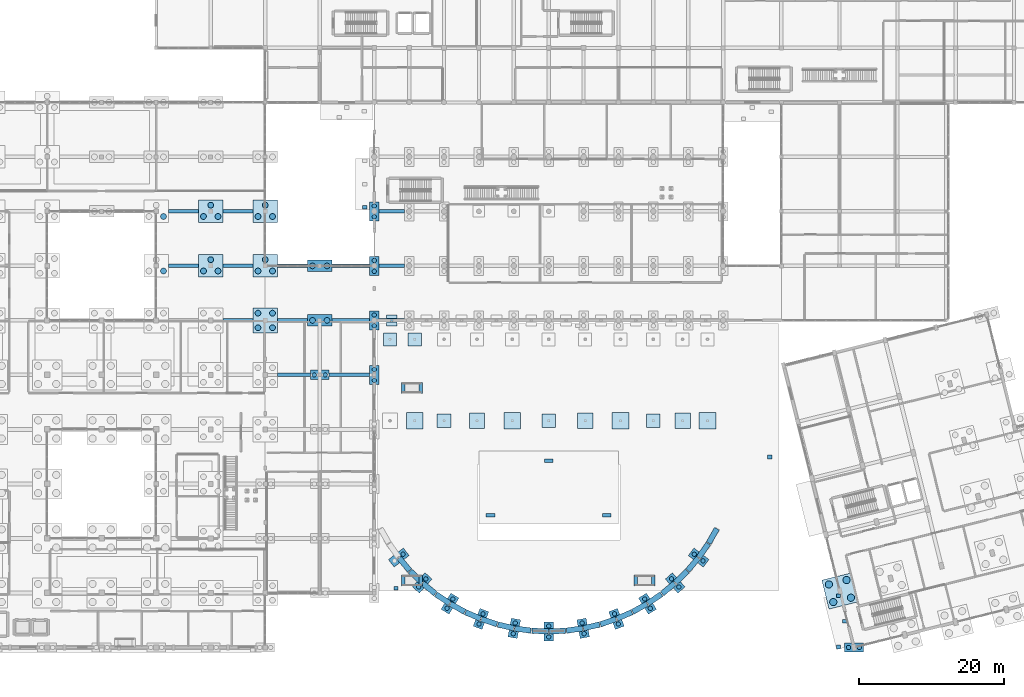
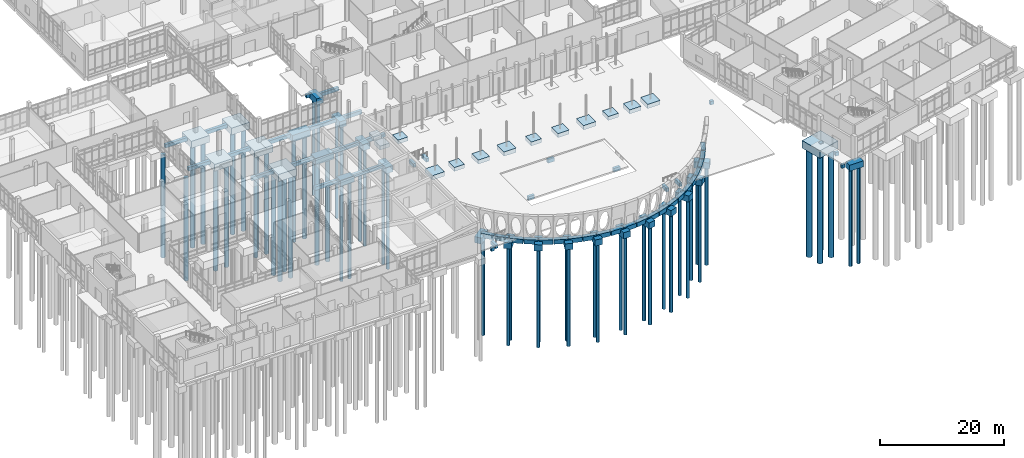
# One storey, part 3 of 173: 89 footings, 59 piles.
"""IFC4 building model written with IfcOpenShell, lengths in metres."""

import ifcopenshell
import ifcopenshell.guid

model = None  # the IFC model being written
_history = None  # IfcOwnerHistory: only IFC2X3 demands one
_inside = {}  # id of a spatial element -> (the spatial element, [elements in it])
_under = {}  # id of a project, library or spatial element -> (it, [spatial elements below it])
_declared = {}  # id of a project -> (the project, [libraries it declares])
_typed = {}  # id of a type object -> (the type object, [elements of that type])
_made_of = {}  # id of a material, layer set ... -> (it, [elements and type objects made of it])


def new_model(schema):
    """Start an empty IFC model of exactly this schema.

    Asked for "IFC4X3", IfcOpenShell would pick the latest addendum, in which some entities
    have other attributes; the version numbers below select the first issue.
    IFC2X3 requires an IfcOwnerHistory on every rooted entity: one is made here for all.
    """
    global model, _history
    if schema == "IFC4X3":
        model = ifcopenshell.file(schema_version=(4, 3, 0, 0))
    else:
        model = ifcopenshell.file(schema=schema)
    _inside.clear()
    _under.clear()
    _declared.clear()
    _typed.clear()
    _made_of.clear()
    _history = None
    if model.schema == "IFC2X3":
        org = make("IfcOrganization", Name="unknown")
        user = make(
            "IfcPersonAndOrganization",
            ThePerson=make("IfcPerson", FamilyName="unknown"),
            TheOrganization=org,
        )
        app = make(
            "IfcApplication",
            ApplicationDeveloper=org,
            Version="unknown",
            ApplicationFullName="unknown",
            ApplicationIdentifier="unknown",
        )
        _history = make(
            "IfcOwnerHistory",
            OwningUser=user,
            OwningApplication=app,
            ChangeAction="ADDED",
            CreationDate=0,
        )
    return model


def make(cls, **values):
    """One entity of the class cls with the attributes given. An attribute that is None is left unset."""
    return model.create_entity(
        cls, **{name: value for name, value in values.items() if value is not None}
    )


def rooted(cls, **values):
    """An entity with a GlobalId (a new one), such as an element, a storey or a relation."""
    return make(cls, GlobalId=ifcopenshell.guid.new(), OwnerHistory=_history, **values)


def si_unit(unit_type, name, prefix=None):
    """IfcSIUnit, for example si_unit("LENGTHUNIT", "METRE", prefix="MILLI")."""
    return make("IfcSIUnit", UnitType=unit_type, Prefix=prefix, Name=name)


def assignment(units):
    """IfcUnitAssignment: the units of a project."""
    return None if units is None else make("IfcUnitAssignment", Units=units)


def point(xyz):
    """IfcCartesianPoint."""
    return None if xyz is None else make("IfcCartesianPoint", Coordinates=xyz)


def direction(xyz):
    """IfcDirection."""
    return None if xyz is None else make("IfcDirection", DirectionRatios=xyz)


def frame(location, z_axis=None, x_axis=None):
    """IfcAxis2Placement3D, a coordinate frame: its origin and axes. An axis left out is left unset."""
    return make(
        "IfcAxis2Placement3D",
        Location=point(location),
        Axis=direction(z_axis),
        RefDirection=direction(x_axis),
    )


def frame_2d(location, x_axis=None):
    """IfcAxis2Placement2D, a coordinate frame in the plane: its origin and x axis."""
    return make(
        "IfcAxis2Placement2D", Location=point(location), RefDirection=direction(x_axis)
    )


def origin():
    """The frame at (0, 0, 0) with its axes left unset."""
    return frame((0.0, 0.0, 0.0))


def origin_2d():
    """The frame at (0, 0) in the plane with its x axis left unset."""
    return frame_2d((0.0, 0.0))


def place(relative_to, where):
    """IfcLocalPlacement: puts the frame where relative to a parent placement (None: the world)."""
    return make(
        "IfcLocalPlacement", PlacementRelTo=relative_to, RelativePlacement=where
    )


def context(
    kind, dimensions, precision=None, world=None, true_north=None, identifier=None
):
    """IfcGeometricRepresentationContext, for example the 3D "Model" context."""
    return make(
        "IfcGeometricRepresentationContext",
        ContextIdentifier=identifier,
        ContextType=kind,
        CoordinateSpaceDimension=dimensions,
        Precision=precision,
        WorldCoordinateSystem=world,
        TrueNorth=true_north,
    )


def subcontext(parent, identifier, kind, view, scale=None):
    """IfcGeometricRepresentationSubContext, for example "Body" below "Model"."""
    return make(
        "IfcGeometricRepresentationSubContext",
        ContextIdentifier=identifier,
        ContextType=kind,
        ParentContext=parent,
        TargetScale=scale,
        TargetView=view,
    )


def project(units=None, contexts=None):
    """IfcProject with its units and contexts."""
    return rooted(
        "IfcProject",
        Name="project",
        RepresentationContexts=contexts,
        UnitsInContext=assignment(units),
    )


def spatial(cls, under=None, at=None, **own):
    """A site, building, storey or space (cls), placed at a placement, below another one or the project."""
    s = rooted(cls, ObjectPlacement=at, **own)
    if under is not None:
        _under.setdefault(under.id(), (under, []))[1].append(s)
    return s


def profile(cls, at=None, kind="AREA", **sizes):
    """A parametric profile (cls). Its sizes go by their IFC names, for example OverallWidth=200.0."""
    return make(cls, ProfileType=kind, Position=at, **sizes)


def rectangle(**sizes):
    """IfcRectangleProfileDef."""
    return profile("IfcRectangleProfileDef", **sizes)


def circle(**sizes):
    """IfcCircleProfileDef."""
    return profile("IfcCircleProfileDef", **sizes)


def extrude(swept, where, along, depth):
    """IfcExtrudedAreaSolid: the profile swept, set in the frame where, extruded along a direction by depth."""
    return make(
        "IfcExtrudedAreaSolid",
        SweptArea=swept,
        Position=where,
        ExtrudedDirection=direction(along),
        Depth=depth,
    )


def shape(context_of_items, identifier, shape_type, items):
    """IfcShapeRepresentation: the items that make up one representation, for example the "Body"."""
    return make(
        "IfcShapeRepresentation",
        ContextOfItems=context_of_items,
        RepresentationIdentifier=identifier,
        RepresentationType=shape_type,
        Items=items,
    )


def material(Name=None, Category=None):
    """IfcMaterial."""
    return make("IfcMaterial", Name=Name, Category=Category)


def material_profile(
    of_material, cross_section, Name=None, Category=None, Priority=None
):
    """IfcMaterialProfile: a cross section and its material."""
    return make(
        "IfcMaterialProfile",
        Name=Name,
        Material=of_material,
        Profile=cross_section,
        Priority=Priority,
        Category=Category,
    )


def profile_set(profiles, Name=None, composite=None):
    """IfcMaterialProfileSet."""
    return make(
        "IfcMaterialProfileSet",
        Name=Name,
        MaterialProfiles=profiles,
        CompositeProfile=composite,
    )


def made_of(thing, what):
    """Note that an element or type object is made of a material, layer set ...; save() writes the relation."""
    if what is not None:
        _made_of.setdefault(what.id(), (what, []))[1].append(thing)
    return thing


def type_object(cls, material=None, **own):
    """A type object (cls), such as IfcWallType, which elements share."""
    return made_of(rooted(cls, **own), material)


def element(
    cls,
    number,
    at=None,
    inside=None,
    cuts=None,
    type_object=None,
    material=None,
    context=None,
    identifier="Body",
    shape_type=None,
    held_by="IfcProductDefinitionShape",
    body=None,
    shapes=None,
    **own,
):
    """One element of the class cls, such as IfcWall. Its Tag is "e" and its number.

    at: its placement. inside: the storey or other place that contains it. cuts: it is an
    opening in that element (IfcRelVoidsElement). A single representation is given by context,
    identifier, shape_type and body (its items); several are given by shapes. held_by: the class
    of the entity that holds the representations. save() writes the other relations.
    """
    e = rooted(cls, Tag="e%d" % number, ObjectPlacement=at, **own)
    if body is not None:
        shapes = [shape(context, identifier, shape_type, body)]
    if shapes is not None:
        e.Representation = make(held_by, Representations=shapes)
    if inside is not None:
        _inside.setdefault(inside.id(), (inside, []))[1].append(e)
    if cuts is not None:
        rooted(
            "IfcRelVoidsElement", RelatingBuildingElement=cuts, RelatedOpeningElement=e
        )
    if type_object is not None:
        _typed.setdefault(type_object.id(), (type_object, []))[1].append(e)
    return made_of(e, material)


def aggregate(whole, parts):
    """IfcRelAggregates: a whole, such as a stair, and the parts it consists of."""
    return rooted("IfcRelAggregates", RelatingObject=whole, RelatedObjects=parts)


def save(model, path):
    """Write the relations noted so far, then the file.

    IfcRelAggregates (storeys below a building ...), IfcRelContainedInSpatialStructure (elements
    in a storey), IfcRelDefinesByType, IfcRelAssociatesMaterial and IfcRelDeclares: one each for
    every whole, place, type object, material and project.
    """
    for whole, parts in _under.values():
        aggregate(whole, parts)
    for where, things in _inside.values():
        rooted(
            "IfcRelContainedInSpatialStructure",
            RelatedElements=things,
            RelatingStructure=where,
        )
    for kind, things in _typed.values():
        rooted("IfcRelDefinesByType", RelatedObjects=things, RelatingType=kind)
    for what, things in _made_of.values():
        rooted("IfcRelAssociatesMaterial", RelatedObjects=things, RelatingMaterial=what)
    for by, libraries in _declared.values():
        rooted("IfcRelDeclares", RelatingContext=by, RelatedDefinitions=libraries)
    model.write(path)


model = new_model("IFC4")

# Units and contexts
model_context = context("Model", 3, precision=1e-05, world=origin(), true_north=direction((0.0, 1.0)))
body_context = subcontext(model_context, "Body", "Model", "MODEL_VIEW")
ifc_project = project(units=[si_unit("LENGTHUNIT", "METRE"), si_unit("AREAUNIT", "SQUARE_METRE"), si_unit("VOLUMEUNIT", "CUBIC_METRE"), si_unit("PLANEANGLEUNIT", "RADIAN"), si_unit("MASSUNIT", "GRAM", prefix="KILO")], contexts=[model_context])

# Site, building, storey
site_placement = place(None, origin())
site = spatial("IfcSite", under=ifc_project, at=site_placement, CompositionType="ELEMENT")
building_placement = place(site_placement, origin())
building = spatial("IfcBuilding", under=site, at=building_placement, Name="Mawjan Specialist Oncology Clinic", CompositionType="ELEMENT")
storey_placement = place(building_placement, origin())
storey = spatial("IfcBuildingStorey", under=building, at=storey_placement, Name="L00", CompositionType="ELEMENT", Elevation=0.0)

# Footings
ifc_material_1 = material(Name="Concrete C40/50", Category="concrete")
footing_type_1 = type_object("IfcFootingType", Name="PC-2A", PredefinedType="PILE_CAP", material=ifc_material_1)
for number, where, z_axis, x_axis, name in (
    (1, (52.5, 38.300048828125, -1.6201171875), (0.0, 0.0, 1.0), (1.0, 0.0, 0.0), "Pile Cap FTG-PC-095"),
    (2, (60.0, 38.300048828125, -1.6201171875), (0.0, 0.0, 1.0), (0.0, 1.0, 0.0), "Pile Cap FTG-PC-108"),
    (3, (60.0, 45.800048828125, -1.6201171875), (0.0, 0.0, 1.0), (0.0, 1.0, 0.0), "Pile Cap FTG-PC-109"),
    (4, (60.0, 53.300048828125, -1.6201171875), (0.0, 0.0, 1.0), (0.0, 1.0, 0.0), "Pile Cap FTG-PC-110"),
    (5, (60.0, 60.800048828125, -1.6201171875), (0.0, 0.0, 1.0), (0.0, 1.0, 0.0), "Pile Cap FTG-PC-111"),
    (6, (126.0, 0.800048828125, -1.6201171875), (0.0, 0.0, 1.0), (1.0, 0.0, 0.0), "Pile Cap FTG-PC-263"),
    (7, (63.372802734375, 13.172119140625, -1.4501953125), (0.0, 0.0, 1.0), (-0.793353340291, -0.608761429009, 0.0), "Stone Arc Pile Cap FTG-ARC-03"),
    (8, (66.6025390625, 9.67822265625, -1.4501953125), (0.0, 0.0, 1.0), (-0.669130606359, -0.743144825477, 0.0), "Stone Arc Pile Cap FTG-ARC-05"),
    (9, (70.4150390625, 6.831298828125, -1.4501953125), (0.0, 0.0, 1.0), (-0.522498564716, -0.852640164354, 0.0), "Stone Arc Pile Cap FTG-ARC-07"),
    (10, (74.682373046875, 4.726806640625, -1.4501953125), (0.0, 0.0, 1.0), (-0.358367949545, -0.933580426497, 0.0), "Stone Arc Pile Cap FTG-ARC-09"),
    (11, (79.261962890625, 3.435302734375, -1.4501953125), (0.0, 0.0, 1.0), (-0.182235525492, -0.983254907564, 0.0), "Stone Arc Pile Cap FTG-ARC-11"),
    (12, (84.0, 3.0, -1.4501953125), (0.0, 0.0, 1.0), (0.0, -1.0, 0.0), "Stone Arc Pile Cap FTG-ARC-13"),
    (13, (88.738037109375, 3.435302734375, -1.4501953125), (0.0, 0.0, 1.0), (0.182235525492, -0.983254907564, 0.0), "Stone Arc Pile Cap FTG-ARC-15"),
    (14, (93.317626953125, 4.726806640625, -1.4501953125), (0.0, 0.0, 1.0), (0.358367949545, -0.933580426497, 0.0), "Stone Arc Pile Cap FTG-ARC-17"),
    (15, (97.5849609375, 6.831298828125, -1.4501953125), (0.0, 0.0, 1.0), (0.522498564716, -0.852640164354, 0.0), "Stone Arc Pile Cap FTG-ARC-19"),
    (16, (101.3974609375, 9.67822265625, -1.4501953125), (0.0, 0.0, 1.0), (0.669130606359, -0.743144825477, 0.0), "Stone Arc Pile Cap FTG-ARC-21"),
    (17, (104.627197265625, 13.172119140625, -1.4501953125), (0.0, 0.0, 1.0), (0.793353340291, -0.608761429009, 0.0), "Stone Arc Pile Cap FTG-ARC-23"),
):
    element("IfcFooting", number, at=place(storey_placement, frame(where, z_axis=z_axis, x_axis=x_axis)), inside=storey, type_object=footing_type_1, Name=name, PredefinedType="PILE_CAP", context=body_context, shape_type="SweptSolid", body=[
        extrude(rectangle(XDim=2.60009765625, YDim=1.300048828125, at=origin_2d()), origin(), (0.0, 0.0, 1.0), 1.199951171875),
    ])
ifc_material_2 = material(Name="Concrete C40/50", Category="concrete")
footing_type_2 = type_object("IfcFootingType", Name="PC-2B", PredefinedType="PILE_CAP", material=ifc_material_2)
for number, where, z_axis, x_axis, name in (
    (18, (52.5, 45.800048828125, -1.72021484375), (0.0, 0.0, 1.0), (1.0, 0.0, 0.0), "Pile Cap FTG-PC-096"),
    (19, (52.5, 53.300048828125, -1.72021484375), (0.0, 0.0, 1.0), (1.0, 0.0, 0.0), "Pile Cap FTG-PC-097"),
):
    element("IfcFooting", number, at=place(storey_placement, frame(where, z_axis=z_axis, x_axis=x_axis)), inside=storey, type_object=footing_type_2, Name=name, PredefinedType="PILE_CAP", context=body_context, shape_type="SweptSolid", body=[
        extrude(rectangle(XDim=3.39990234375, YDim=1.60009765625, at=origin_2d()), origin(), (0.0, 0.0, 1.0), 1.300048828125),
    ])
ifc_material_3 = material(Name="Concrete C40/50", Category="concrete")
footing_type_3 = type_object("IfcFootingType", Name="PC-3A", PredefinedType="PILE_CAP", material=ifc_material_3)
for number, where, z_axis, x_axis, name in (
    (20, (37.5, 53.300048828125, -1.77001953125), (0.0, 0.0, 1.0), (1.0, 0.0, 0.0), "Pile Cap FTG-PC-066"),
    (21, (37.5, 60.800048828125, -1.77001953125), (0.0, 0.0, 1.0), (1.0, 0.0, 0.0), "Pile Cap FTG-PC-067"),
    (22, (45.0, 53.300048828125, -1.77001953125), (0.0, 0.0, 1.0), (1.0, 0.0, 0.0), "Pile Cap FTG-PC-082"),
    (23, (45.0, 60.800048828125, -1.77001953125), (0.0, 0.0, 1.0), (1.0, 0.0, 0.0), "Pile Cap FTG-PC-083"),
):
    element("IfcFooting", number, at=place(storey_placement, frame(where, z_axis=z_axis, x_axis=x_axis)), inside=storey, type_object=footing_type_3, Name=name, PredefinedType="PILE_CAP", context=body_context, shape_type="SweptSolid", body=[
        extrude(rectangle(XDim=3.39990234375, YDim=3.10009765625, at=origin_2d()), origin(), (0.0, 0.0, 1.0), 1.35009765625),
    ])
ifc_material_4 = material(Name="Concrete C40/50", Category="concrete")
footing_type_4 = type_object("IfcFootingType", Name="PC-4A", PredefinedType="PILE_CAP", material=ifc_material_4)
footing_1_placement = place(storey_placement, frame((45.0, 45.800048828125, -1.820068359375), z_axis=(0.0, 0.0, 1.0), x_axis=(1.0, 0.0, 0.0)))
element("IfcFooting", 24, at=footing_1_placement, inside=storey, type_object=footing_type_4, Name="Pile Cap FTG-PC-081", PredefinedType="PILE_CAP", context=body_context, shape_type="SweptSolid", body=[
    extrude(rectangle(XDim=3.39990234375, YDim=3.39990234375, at=origin_2d()), origin(), (0.0, 0.0, 1.0), 1.39990234375),
])
ifc_material_5 = material(Name="Concrete C40/50", Category="concrete")
footing_type_5 = type_object("IfcFootingType", Name="PC-4B", PredefinedType="PILE_CAP", material=ifc_material_5)
footing_2_placement = place(storey_placement, frame((124.064697265625, 8.562255859375, -1.919921875), z_axis=(0.0, 0.0, 1.0), x_axis=(0.970295726276, 0.2419218956, 0.0)))
element("IfcFooting", 25, at=footing_2_placement, inside=storey, type_object=footing_type_5, Name="Pile Cap FTG-PC-264", PredefinedType="PILE_CAP", context=body_context, shape_type="SweptSolid", body=[
    extrude(rectangle(XDim=4.10009765625, YDim=4.10009765625, at=origin_2d()), origin(), (0.0, 0.0, 1.0), 1.5),
])
ifc_material_6 = material(Name="Concrete C40/50", Category="concrete")
footing_type_6 = type_object("IfcFootingType", Name="PF-GDN1", PredefinedType="PAD_FOOTING", material=ifc_material_6)
for number, where, z_axis, x_axis, name in (
    (26, (74.131103515625, 32.0, -0.7998046875), (0.0, 0.0, 1.0), (1.0, 0.0, 0.0), "Courtyard Canopy Pad Footing 4"),
    (27, (89.018310546875, 32.0, -0.7998046875), (0.0, 0.0, 1.0), (1.0, 0.0, 0.0), "Courtyard Canopy Pad Footing 7"),
    (28, (102.426513671875, 32.0, -0.7998046875), (0.0, 0.0, 1.0), (1.0, 0.0, 0.0), "Courtyard Canopy Pad Footing 10"),
):
    element("IfcFooting", number, at=place(storey_placement, frame(where, z_axis=z_axis, x_axis=x_axis)), inside=storey, type_object=footing_type_6, Name=name, PredefinedType="PAD_FOOTING", context=body_context, shape_type="SweptSolid", body=[
        extrude(rectangle(XDim=2.10009765625, YDim=2.10009765625, at=origin_2d()), origin(), (0.0, 0.0, 1.0), 0.800048828125),
    ])
footing_3_placement = place(storey_placement, frame((62.39990234375, 45.800048828125, -0.75), z_axis=(0.0, 0.0, 1.0), x_axis=(1.0, 0.0, 0.0)))
element("IfcFooting", 29, at=footing_3_placement, inside=storey, type_object=footing_type_6, Name="Hall South Ridge Footing 01", PredefinedType="PAD_FOOTING", context=body_context, shape_type="SweptSolid", body=[
    extrude(rectangle(XDim=1.5, YDim=1.5, at=origin_2d()), origin(), (0.0, 0.0, 1.0), 0.75),
])
ifc_material_7 = material(Name="Concrete C40/50", Category="concrete")
footing_type_7 = type_object("IfcFootingType", Name="PF-GDN2", PredefinedType="PAD_FOOTING", material=ifc_material_7)
for number, where, z_axis, x_axis, name in (
    (30, (65.573486328125, 32.0, -0.85009765625), (0.0, 0.0, 1.0), (1.0, 0.0, 0.0), "Courtyard Canopy Pad Footing 2"),
    (31, (78.981689453125, 32.0, -0.85009765625), (0.0, 0.0, 1.0), (1.0, 0.0, 0.0), "Courtyard Canopy Pad Footing 5"),
    (32, (93.868896484375, 32.0, -0.85009765625), (0.0, 0.0, 1.0), (1.0, 0.0, 0.0), "Courtyard Canopy Pad Footing 8"),
    (33, (105.847412109375, 32.0, -0.85009765625), (0.0, 0.0, 1.0), (1.0, 0.0, 0.0), "Courtyard Canopy Pad Footing 11"),
):
    element("IfcFooting", number, at=place(storey_placement, frame(where, z_axis=z_axis, x_axis=x_axis)), inside=storey, type_object=footing_type_7, Name=name, PredefinedType="PAD_FOOTING", context=body_context, shape_type="SweptSolid", body=[
        extrude(rectangle(XDim=2.300048828125, YDim=2.300048828125, at=origin_2d()), origin(), (0.0, 0.0, 1.0), 0.85009765625),
    ])
ifc_material_8 = material(Name="Concrete C40/50", Category="concrete")
footing_type_8 = type_object("IfcFootingType", Name="PF-GDN3", PredefinedType="PAD_FOOTING", material=ifc_material_8)
for number, where, z_axis, x_axis, name in (
    (34, (69.611328125, 32.0, -0.75), (0.0, 0.0, 1.0), (1.0, 0.0, 0.0), "Courtyard Canopy Pad Footing 3"),
    (35, (84.0, 32.0, -0.75), (0.0, 0.0, 1.0), (1.0, 0.0, 0.0), "Courtyard Canopy Pad Footing 6"),
    (36, (98.388671875, 32.0, -0.75), (0.0, 0.0, 1.0), (1.0, 0.0, 0.0), "Courtyard Canopy Pad Footing 9"),
):
    element("IfcFooting", number, at=place(storey_placement, frame(where, z_axis=z_axis, x_axis=x_axis)), inside=storey, type_object=footing_type_8, Name=name, PredefinedType="PAD_FOOTING", context=body_context, shape_type="SweptSolid", body=[
        extrude(rectangle(XDim=1.89990234375, YDim=1.89990234375, at=origin_2d()), origin(), (0.0, 0.0, 1.0), 0.75),
    ])
for number, where, z_axis, x_axis, name in (
    (37, (62.152587890625, 43.199951171875, -0.75), (0.0, 0.0, 1.0), (1.0, 0.0, 0.0), "Courtyard North Colonnade Pad 01"),
    (38, (65.573486328125, 43.199951171875, -0.75), (0.0, 0.0, 1.0), (1.0, 0.0, 0.0), "Courtyard North Colonnade Pad 02"),
):
    element("IfcFooting", number, at=place(storey_placement, frame(where, z_axis=z_axis, x_axis=x_axis)), inside=storey, type_object=footing_type_8, Name=name, PredefinedType="PAD_FOOTING", context=body_context, shape_type="SweptSolid", body=[
        extrude(rectangle(XDim=1.800048828125, YDim=1.800048828125, at=origin_2d()), origin(), (0.0, 0.0, 1.0), 0.75),
    ])

# Piles
ifc_material_9 = material(Name="Concrete C40/50", Category="concrete")
ifc_material_profile_1 = material_profile(ifc_material_9, circle(Radius=0.5, at=origin_2d()), Name="BORED PILE D1000", Category="concrete")
ifc_profile_set_1 = profile_set([ifc_material_profile_1], Name="Concrete C40/50")
pile_type_1 = type_object("IfcPileType", Name="PILE-1000", PredefinedType="BORED", material=ifc_profile_set_1)
for number, where, z_axis, x_axis, name in (
    (39, (123.154052734375, 7.047119140625, -1.820068359375), (0.0, 0.0, -1.0), (1.0, 0.0, 0.0), "Bored Pile PIL-0650"),
    (40, (125.579833984375, 7.65185546875, -1.820068359375), (0.0, 0.0, -1.0), (1.0, 0.0, 0.0), "Bored Pile PIL-0651"),
    (41, (122.54931640625, 9.472900390625, -1.820068359375), (0.0, 0.0, -1.0), (1.0, 0.0, 0.0), "Bored Pile PIL-0652"),
    (42, (124.97509765625, 10.07763671875, -1.820068359375), (0.0, 0.0, -1.0), (1.0, 0.0, 0.0), "Bored Pile PIL-0653"),
):
    element("IfcPile", number, at=place(storey_placement, frame(where, z_axis=z_axis, x_axis=x_axis)), inside=storey, type_object=pile_type_1, Name=name, PredefinedType="BORED", context=body_context, shape_type="SweptSolid", body=[
        extrude(circle(Radius=0.5, at=origin_2d()), origin(), (0.0, 0.0, 1.0), 21.3798828125),
    ])
ifc_material_10 = material(Name="Concrete C40/50", Category="concrete")
ifc_material_profile_2 = material_profile(ifc_material_10, circle(Radius=0.300048828125, at=origin_2d()), Name="BORED PILE D600", Category="concrete")
ifc_profile_set_2 = profile_set([ifc_material_profile_2], Name="Concrete C40/50")
pile_type_2 = type_object("IfcPileType", Name="PILE-600", PredefinedType="BORED", material=ifc_profile_set_2)
for number, where, z_axis, x_axis, name in (
    (43, (51.75, 38.300048828125, -1.52001953125), (0.0, 0.0, -1.0), (1.0, 0.0, 0.0), "Bored Pile PIL-0279"),
    (44, (53.25, 38.300048828125, -1.52001953125), (0.0, 0.0, -1.0), (1.0, 0.0, 0.0), "Bored Pile PIL-0280"),
    (45, (60.0, 37.550048828125, -1.52001953125), (0.0, 0.0, -1.0), (1.0, 0.0, 0.0), "Bored Pile PIL-0313"),
    (46, (60.0, 39.050048828125, -1.52001953125), (0.0, 0.0, -1.0), (1.0, 0.0, 0.0), "Bored Pile PIL-0314"),
    (47, (60.0, 45.050048828125, -1.52001953125), (0.0, 0.0, -1.0), (1.0, 0.0, 0.0), "Bored Pile PIL-0315"),
    (48, (60.0, 46.550048828125, -1.52001953125), (0.0, 0.0, -1.0), (1.0, 0.0, 0.0), "Bored Pile PIL-0316"),
    (49, (60.0, 52.550048828125, -1.52001953125), (0.0, 0.0, -1.0), (1.0, 0.0, 0.0), "Bored Pile PIL-0317"),
    (50, (60.0, 54.050048828125, -1.52001953125), (0.0, 0.0, -1.0), (1.0, 0.0, 0.0), "Bored Pile PIL-0318"),
    (51, (60.0, 60.050048828125, -1.52001953125), (0.0, 0.0, -1.0), (1.0, 0.0, 0.0), "Bored Pile PIL-0319"),
    (52, (60.0, 61.550048828125, -1.52001953125), (0.0, 0.0, -1.0), (1.0, 0.0, 0.0), "Bored Pile PIL-0320"),
    (53, (125.25, 0.800048828125, -1.52001953125), (0.0, 0.0, -1.0), (1.0, 0.0, 0.0), "Bored Pile PIL-0648"),
    (54, (126.75, 0.800048828125, -1.52001953125), (0.0, 0.0, -1.0), (1.0, 0.0, 0.0), "Bored Pile PIL-0649"),
):
    element("IfcPile", number, at=place(storey_placement, frame(where, z_axis=z_axis, x_axis=x_axis)), inside=storey, type_object=pile_type_2, Name=name, PredefinedType="BORED", context=body_context, shape_type="SweptSolid", body=[
        extrude(circle(Radius=0.300048828125, at=origin_2d()), origin(), (0.0, 0.0, 1.0), 19.280029296875),
    ])
for number, where, z_axis, x_axis, name in (
    (55, (63.9677734375, 13.628662109375, -1.35009765625), (0.0, 0.0, -1.0), (1.0, 0.0, 0.0), "Stone Arc Bored Pile PIL-0771"),
    (56, (67.1044921875, 10.235595703125, -1.35009765625), (0.0, 0.0, -1.0), (1.0, 0.0, 0.0), "Stone Arc Bored Pile PIL-0773"),
    (57, (66.100830078125, 9.120849609375, -1.35009765625), (0.0, 0.0, -1.0), (1.0, 0.0, 0.0), "Stone Arc Bored Pile PIL-0774"),
    (58, (70.806884765625, 7.470947265625, -1.35009765625), (0.0, 0.0, -1.0), (1.0, 0.0, 0.0), "Stone Arc Bored Pile PIL-0775"),
    (59, (70.023193359375, 6.19189453125, -1.35009765625), (0.0, 0.0, -1.0), (1.0, 0.0, 0.0), "Stone Arc Bored Pile PIL-0776"),
    (60, (74.951171875, 5.427001953125, -1.35009765625), (0.0, 0.0, -1.0), (1.0, 0.0, 0.0), "Stone Arc Bored Pile PIL-0777"),
    (61, (74.41357421875, 4.026611328125, -1.35009765625), (0.0, 0.0, -1.0), (1.0, 0.0, 0.0), "Stone Arc Bored Pile PIL-0778"),
    (62, (79.3984375, 4.1728515625, -1.35009765625), (0.0, 0.0, -1.0), (1.0, 0.0, 0.0), "Stone Arc Bored Pile PIL-0779"),
    (63, (79.125244140625, 2.697998046875, -1.35009765625), (0.0, 0.0, -1.0), (1.0, 0.0, 0.0), "Stone Arc Bored Pile PIL-0780"),
    (64, (84.0, 3.75, -1.35009765625), (0.0, 0.0, -1.0), (1.0, 0.0, 0.0), "Stone Arc Bored Pile PIL-0781"),
    (65, (84.0, 2.25, -1.35009765625), (0.0, 0.0, -1.0), (1.0, 0.0, 0.0), "Stone Arc Bored Pile PIL-0782"),
    (66, (88.6015625, 4.1728515625, -1.35009765625), (0.0, 0.0, -1.0), (1.0, 0.0, 0.0), "Stone Arc Bored Pile PIL-0783"),
    (67, (88.874755859375, 2.697998046875, -1.35009765625), (0.0, 0.0, -1.0), (1.0, 0.0, 0.0), "Stone Arc Bored Pile PIL-0784"),
    (68, (93.048828125, 5.427001953125, -1.35009765625), (0.0, 0.0, -1.0), (1.0, 0.0, 0.0), "Stone Arc Bored Pile PIL-0785"),
    (69, (93.58642578125, 4.026611328125, -1.35009765625), (0.0, 0.0, -1.0), (1.0, 0.0, 0.0), "Stone Arc Bored Pile PIL-0786"),
    (70, (97.193115234375, 7.470947265625, -1.35009765625), (0.0, 0.0, -1.0), (1.0, 0.0, 0.0), "Stone Arc Bored Pile PIL-0787"),
    (71, (97.976806640625, 6.19189453125, -1.35009765625), (0.0, 0.0, -1.0), (1.0, 0.0, 0.0), "Stone Arc Bored Pile PIL-0788"),
    (72, (100.8955078125, 10.235595703125, -1.35009765625), (0.0, 0.0, -1.0), (1.0, 0.0, 0.0), "Stone Arc Bored Pile PIL-0789"),
    (73, (101.899169921875, 9.120849609375, -1.35009765625), (0.0, 0.0, -1.0), (1.0, 0.0, 0.0), "Stone Arc Bored Pile PIL-0790"),
    (74, (104.0322265625, 13.628662109375, -1.35009765625), (0.0, 0.0, -1.0), (1.0, 0.0, 0.0), "Stone Arc Bored Pile PIL-0791"),
    (75, (105.22216796875, 12.715576171875, -1.35009765625), (0.0, 0.0, -1.0), (1.0, 0.0, 0.0), "Stone Arc Bored Pile PIL-0792"),
):
    element("IfcPile", number, at=place(storey_placement, frame(where, z_axis=z_axis, x_axis=x_axis)), inside=storey, type_object=pile_type_2, Name=name, PredefinedType="BORED", context=body_context, shape_type="SweptSolid", body=[
        extrude(circle(Radius=0.300048828125, at=origin_2d()), origin(), (0.0, 0.0, 1.0), 19.449951171875),
    ])
ifc_material_11 = material(Name="Concrete C40/50", Category="concrete")
ifc_material_profile_3 = material_profile(ifc_material_11, circle(Radius=0.39990234375, at=origin_2d()), Name="BORED PILE D800", Category="concrete")
ifc_profile_set_3 = profile_set([ifc_material_profile_3], Name="Concrete C40/50")
pile_type_3 = type_object("IfcPileType", Name="PILE-800", PredefinedType="BORED", material=ifc_profile_set_3)
for number, where, z_axis, x_axis, name in (
    (76, (31.0, 52.60009765625, -1.669921875), (0.0, 0.0, -1.0), (1.0, 0.0, 0.0), "Bored Pile PIL-0155"),
    (77, (31.0, 60.10009765625, -1.669921875), (0.0, 0.0, -1.0), (1.0, 0.0, 0.0), "Bored Pile PIL-0158"),
    (78, (36.5, 52.60009765625, -1.669921875), (0.0, 0.0, -1.0), (1.0, 0.0, 0.0), "Bored Pile PIL-0200"),
    (79, (38.5, 52.60009765625, -1.669921875), (0.0, 0.0, -1.0), (1.0, 0.0, 0.0), "Bored Pile PIL-0201"),
    (80, (37.5, 54.14990234375, -1.669921875), (0.0, 0.0, -1.0), (1.0, 0.0, 0.0), "Bored Pile PIL-0202"),
    (81, (36.5, 60.10009765625, -1.669921875), (0.0, 0.0, -1.0), (1.0, 0.0, 0.0), "Bored Pile PIL-0203"),
    (82, (38.5, 60.10009765625, -1.669921875), (0.0, 0.0, -1.0), (1.0, 0.0, 0.0), "Bored Pile PIL-0204"),
    (83, (37.5, 61.64990234375, -1.669921875), (0.0, 0.0, -1.0), (1.0, 0.0, 0.0), "Bored Pile PIL-0205"),
):
    element("IfcPile", number, at=place(storey_placement, frame(where, z_axis=z_axis, x_axis=x_axis)), inside=storey, type_object=pile_type_3, Name=name, PredefinedType="BORED", context=body_context, shape_type="SweptSolid", body=[
        extrude(circle(Radius=0.39990234375, at=origin_2d()), origin(), (0.0, 0.0, 1.0), 20.330078125),
    ])
for number, where, z_axis, x_axis, name in (
    (84, (44.0, 44.800048828125, -1.719970703125), (0.0, 0.0, -1.0), (1.0, 0.0, 0.0), "Bored Pile PIL-0238"),
    (85, (46.0, 44.800048828125, -1.719970703125), (0.0, 0.0, -1.0), (1.0, 0.0, 0.0), "Bored Pile PIL-0239"),
    (86, (44.0, 46.800048828125, -1.719970703125), (0.0, 0.0, -1.0), (1.0, 0.0, 0.0), "Bored Pile PIL-0240"),
    (87, (46.0, 46.800048828125, -1.719970703125), (0.0, 0.0, -1.0), (1.0, 0.0, 0.0), "Bored Pile PIL-0241"),
):
    element("IfcPile", number, at=place(storey_placement, frame(where, z_axis=z_axis, x_axis=x_axis)), inside=storey, type_object=pile_type_3, Name=name, PredefinedType="BORED", context=body_context, shape_type="SweptSolid", body=[
        extrude(circle(Radius=0.39990234375, at=origin_2d()), origin(), (0.0, 0.0, 1.0), 20.280029296875),
    ])
for number, where, z_axis, x_axis, name in (
    (88, (44.0, 52.60009765625, -1.669921875), (0.0, 0.0, -1.0), (1.0, 0.0, 0.0), "Bored Pile PIL-0242"),
    (89, (46.0, 52.60009765625, -1.669921875), (0.0, 0.0, -1.0), (1.0, 0.0, 0.0), "Bored Pile PIL-0243"),
    (90, (45.0, 54.14990234375, -1.669921875), (0.0, 0.0, -1.0), (1.0, 0.0, 0.0), "Bored Pile PIL-0244"),
    (91, (44.0, 60.10009765625, -1.669921875), (0.0, 0.0, -1.0), (1.0, 0.0, 0.0), "Bored Pile PIL-0245"),
    (92, (46.0, 60.10009765625, -1.669921875), (0.0, 0.0, -1.0), (1.0, 0.0, 0.0), "Bored Pile PIL-0246"),
    (93, (45.0, 61.64990234375, -1.669921875), (0.0, 0.0, -1.0), (1.0, 0.0, 0.0), "Bored Pile PIL-0247"),
):
    element("IfcPile", number, at=place(storey_placement, frame(where, z_axis=z_axis, x_axis=x_axis)), inside=storey, type_object=pile_type_3, Name=name, PredefinedType="BORED", context=body_context, shape_type="SweptSolid", body=[
        extrude(circle(Radius=0.39990234375, at=origin_2d()), origin(), (0.0, 0.0, 1.0), 20.330078125),
    ])
for number, where, z_axis, x_axis, name in (
    (94, (51.5, 45.800048828125, -1.6201171875), (0.0, 0.0, -1.0), (1.0, 0.0, 0.0), "Bored Pile PIL-0281"),
    (95, (53.5, 45.800048828125, -1.6201171875), (0.0, 0.0, -1.0), (1.0, 0.0, 0.0), "Bored Pile PIL-0282"),
    (96, (51.5, 53.300048828125, -1.6201171875), (0.0, 0.0, -1.0), (1.0, 0.0, 0.0), "Bored Pile PIL-0283"),
    (97, (53.5, 53.300048828125, -1.6201171875), (0.0, 0.0, -1.0), (1.0, 0.0, 0.0), "Bored Pile PIL-0284"),
):
    element("IfcPile", number, at=place(storey_placement, frame(where, z_axis=z_axis, x_axis=x_axis)), inside=storey, type_object=pile_type_3, Name=name, PredefinedType="BORED", context=body_context, shape_type="SweptSolid", body=[
        extrude(circle(Radius=0.39990234375, at=origin_2d()), origin(), (0.0, 0.0, 1.0), 20.3798828125),
    ])

# Footings
ifc_material_12 = material(Name="Concrete C40/50", Category="concrete")
footing_type_9 = type_object("IfcFootingType", Name="SF-500", PredefinedType="STRIP_FOOTING", material=ifc_material_12)
for number, where, z_axis, x_axis, name in (
    (98, (123.867919921875, 0.860595703125, -0.9501953125), (0.0, 0.0, 1.0), (1.0, 0.0, 0.0), "Apron Grade Strip SLB-APR-K6-1"),
    (99, (124.7275390625, 4.390869140625, -0.9501953125), (0.0, 0.0, 1.0), (1.0, 0.0, 0.0), "Apron Grade Strip SLB-APR-K6-2"),
    (100, (123.867919921875, 7.92138671875, -0.9501953125), (0.0, 0.0, 1.0), (1.0, 0.0, 0.0), "Apron Grade Strip SLB-APR-K6-3"),
    (101, (58.699951171875, 61.35009765625, -0.9501953125), (0.0, 0.0, 1.0), (1.0, 0.0, 0.0), "Apron Grade Strip SLB-APR-K7-1"),
    (102, (63.0, 8.949951171875, -0.9501953125), (0.0, 0.0, 1.0), (1.0, 0.0, 0.0), "Apron Grade Strip SLB-APR-C1-1"),
    (103, (114.39990234375, 27.0, -0.9501953125), (0.0, 0.0, 1.0), (1.0, 0.0, 0.0), "Apron Grade Strip SLB-APR-C1-2"),
):
    element("IfcFooting", number, at=place(storey_placement, frame(where, z_axis=z_axis, x_axis=x_axis)), inside=storey, type_object=footing_type_9, Name=name, PredefinedType="STRIP_FOOTING", context=body_context, shape_type="SweptSolid", body=[
        extrude(rectangle(XDim=0.60009765625, YDim=0.5, at=origin_2d()), origin(), (0.0, 0.0, 1.0), 0.699951171875),
    ])
for number, where, z_axis, x_axis, name in (
    (104, (76.0, 19.0, -1.39990234375), (0.0, 0.0, 1.0), (1.0, 0.0, 0.0), "Reflecting Pool Grade Strip 1"),
    (105, (92.0, 19.0, -1.39990234375), (0.0, 0.0, 1.0), (1.0, 0.0, 0.0), "Reflecting Pool Grade Strip 2"),
    (106, (84.0, 26.5, -1.39990234375), (0.0, 0.0, 1.0), (1.0, 0.0, 0.0), "Reflecting Pool Grade Strip 3"),
):
    element("IfcFooting", number, at=place(storey_placement, frame(where, z_axis=z_axis, x_axis=x_axis)), inside=storey, type_object=footing_type_9, Name=name, PredefinedType="STRIP_FOOTING", context=body_context, shape_type="SweptSolid", body=[
        extrude(rectangle(XDim=1.199951171875, YDim=0.5, at=origin_2d()), origin(), (0.0, 0.0, 1.0), 0.699951171875),
    ])
for number, where, z_axis, x_axis, name in (
    (107, (64.0, 10.0, -1.10009765625), (0.0, 0.0, 1.0), (1.0, 0.0, 0.0), "Ramp Bearing Footing RMP-PED-02-1"),
    (108, (66.39990234375, 10.0, -0.919921875), (0.0, 0.0, 1.0), (1.0, 0.0, 0.0), "Ramp Bearing Footing RMP-PED-02-2"),
    (109, (96.0, 10.0, -1.10009765625), (0.0, 0.0, 1.0), (1.0, 0.0, 0.0), "Ramp Bearing Footing RMP-PED-03-1"),
    (110, (98.39990234375, 10.0, -0.919921875), (0.0, 0.0, 1.0), (1.0, 0.0, 0.0), "Ramp Bearing Footing RMP-PED-03-2"),
    (111, (64.0, 36.5, -1.10009765625), (0.0, 0.0, 1.0), (1.0, 0.0, 0.0), "Ramp Bearing Footing RMP-PED-05-1"),
    (112, (66.39990234375, 36.5, -0.919921875), (0.0, 0.0, 1.0), (1.0, 0.0, 0.0), "Ramp Bearing Footing RMP-PED-05-2"),
):
    element("IfcFooting", number, at=place(storey_placement, frame(where, z_axis=z_axis, x_axis=x_axis)), inside=storey, type_object=footing_type_9, Name=name, PredefinedType="STRIP_FOOTING", context=body_context, shape_type="SweptSolid", body=[
        extrude(rectangle(XDim=0.5, YDim=1.5, at=origin_2d()), origin(), (0.0, 0.0, 1.0), 0.699951171875),
    ])
footing_4_placement = place(storey_placement, frame((48.949951171875, 38.300048828125, -1.1201171875), z_axis=(0.0, 0.0, 1.0), x_axis=(1.0, 0.0, 0.0)))
element("IfcFooting", 113, at=footing_4_placement, inside=storey, type_object=footing_type_9, Name="Foundation Tie Strip FTG-SF-067", PredefinedType="STRIP_FOOTING", context=body_context, shape_type="SweptSolid", body=[
    extrude(rectangle(XDim=4.5, YDim=0.5, at=origin_2d()), origin(), (0.0, 0.0, 1.0), 0.699951171875),
])
footing_5_placement = place(storey_placement, frame((56.574951171875, 38.300048828125, -1.1201171875), z_axis=(0.0, 0.0, 1.0), x_axis=(1.0, 0.0, 0.0)))
element("IfcFooting", 114, at=footing_5_placement, inside=storey, type_object=footing_type_9, Name="Foundation Tie Strip FTG-SF-068", PredefinedType="STRIP_FOOTING", context=body_context, shape_type="SweptSolid", body=[
    extrude(rectangle(XDim=5.550048828125, YDim=0.5, at=origin_2d()), origin(), (0.0, 0.0, 1.0), 0.699951171875),
])
for number, where, z_axis, x_axis, name in (
    (115, (41.25, 45.800048828125, -1.1201171875), (0.0, 0.0, 1.0), (1.0, 0.0, 0.0), "Foundation Tie Strip FTG-SF-074"),
    (116, (48.75, 45.800048828125, -1.1201171875), (0.0, 0.0, 1.0), (1.0, 0.0, 0.0), "Foundation Tie Strip FTG-SF-075"),
):
    element("IfcFooting", number, at=place(storey_placement, frame(where, z_axis=z_axis, x_axis=x_axis)), inside=storey, type_object=footing_type_9, Name=name, PredefinedType="STRIP_FOOTING", context=body_context, shape_type="SweptSolid", body=[
        extrude(rectangle(XDim=4.10009765625, YDim=0.5, at=origin_2d()), origin(), (0.0, 0.0, 1.0), 0.699951171875),
    ])
footing_6_placement = place(storey_placement, frame((56.77490234375, 45.800048828125, -1.1201171875), z_axis=(0.0, 0.0, 1.0), x_axis=(1.0, 0.0, 0.0)))
element("IfcFooting", 117, at=footing_6_placement, inside=storey, type_object=footing_type_9, Name="Foundation Tie Strip FTG-SF-076", PredefinedType="STRIP_FOOTING", context=body_context, shape_type="SweptSolid", body=[
    extrude(rectangle(XDim=5.14990234375, YDim=0.5, at=origin_2d()), origin(), (0.0, 0.0, 1.0), 0.699951171875),
])
footing_7_placement = place(storey_placement, frame((62.39990234375, 45.800048828125, -1.1201171875), z_axis=(0.0, 0.0, 1.0), x_axis=(1.0, 0.0, 0.0)))
element("IfcFooting", 118, at=footing_7_placement, inside=storey, type_object=footing_type_9, Name="Foundation Tie Strip FTG-SF-077", PredefinedType="STRIP_FOOTING", context=body_context, shape_type="SweptSolid", body=[
    extrude(rectangle(XDim=3.5, YDim=0.5, at=origin_2d()), origin(), (0.0, 0.0, 1.0), 0.699951171875),
])
for number, where, z_axis, x_axis, name in (
    (119, (33.75, 53.300048828125, -1.1201171875), (0.0, 0.0, 1.0), (1.0, 0.0, 0.0), "Foundation Tie Strip FTG-SF-089"),
    (120, (41.25, 53.300048828125, -1.1201171875), (0.0, 0.0, 1.0), (1.0, 0.0, 0.0), "Foundation Tie Strip FTG-SF-090"),
    (121, (48.75, 53.300048828125, -1.1201171875), (0.0, 0.0, 1.0), (1.0, 0.0, 0.0), "Foundation Tie Strip FTG-SF-091"),
):
    element("IfcFooting", number, at=place(storey_placement, frame(where, z_axis=z_axis, x_axis=x_axis)), inside=storey, type_object=footing_type_9, Name=name, PredefinedType="STRIP_FOOTING", context=body_context, shape_type="SweptSolid", body=[
        extrude(rectangle(XDim=4.10009765625, YDim=0.5, at=origin_2d()), origin(), (0.0, 0.0, 1.0), 0.699951171875),
    ])
footing_8_placement = place(storey_placement, frame((56.77490234375, 53.300048828125, -1.1201171875), z_axis=(0.0, 0.0, 1.0), x_axis=(1.0, 0.0, 0.0)))
element("IfcFooting", 122, at=footing_8_placement, inside=storey, type_object=footing_type_9, Name="Foundation Tie Strip FTG-SF-092", PredefinedType="STRIP_FOOTING", context=body_context, shape_type="SweptSolid", body=[
    extrude(rectangle(XDim=5.14990234375, YDim=0.5, at=origin_2d()), origin(), (0.0, 0.0, 1.0), 0.699951171875),
])
footing_9_placement = place(storey_placement, frame((62.39990234375, 53.300048828125, -1.1201171875), z_axis=(0.0, 0.0, 1.0), x_axis=(1.0, 0.0, 0.0)))
element("IfcFooting", 123, at=footing_9_placement, inside=storey, type_object=footing_type_9, Name="Foundation Tie Strip FTG-SF-093", PredefinedType="STRIP_FOOTING", context=body_context, shape_type="SweptSolid", body=[
    extrude(rectangle(XDim=3.5, YDim=0.5, at=origin_2d()), origin(), (0.0, 0.0, 1.0), 0.699951171875),
])
for number, where, z_axis, x_axis, name in (
    (124, (33.75, 60.800048828125, -1.1201171875), (0.0, 0.0, 1.0), (1.0, 0.0, 0.0), "Foundation Tie Strip FTG-SF-109"),
    (125, (41.25, 60.800048828125, -1.1201171875), (0.0, 0.0, 1.0), (1.0, 0.0, 0.0), "Foundation Tie Strip FTG-SF-110"),
):
    element("IfcFooting", number, at=place(storey_placement, frame(where, z_axis=z_axis, x_axis=x_axis)), inside=storey, type_object=footing_type_9, Name=name, PredefinedType="STRIP_FOOTING", context=body_context, shape_type="SweptSolid", body=[
        extrude(rectangle(XDim=4.10009765625, YDim=0.5, at=origin_2d()), origin(), (0.0, 0.0, 1.0), 0.699951171875),
    ])
footing_10_placement = place(storey_placement, frame((62.39990234375, 60.800048828125, -1.1201171875), z_axis=(0.0, 0.0, 1.0), x_axis=(1.0, 0.0, 0.0)))
element("IfcFooting", 126, at=footing_10_placement, inside=storey, type_object=footing_type_9, Name="Foundation Tie Strip FTG-SF-111", PredefinedType="STRIP_FOOTING", context=body_context, shape_type="SweptSolid", body=[
    extrude(rectangle(XDim=3.5, YDim=0.5, at=origin_2d()), origin(), (0.0, 0.0, 1.0), 0.699951171875),
])
ifc_material_13 = material(Name="Concrete C40/50", Category="concrete")
footing_type_10 = type_object("IfcFootingType", Name="SF-700", PredefinedType="STRIP_FOOTING", material=ifc_material_13)
for number, where, z_axis, x_axis, name in (
    (127, (64.14013671875, 12.26171875, -0.85009765625), (0.0, 0.0, 1.0), (-0.644457328359, 0.764640276159, 0.0), "Stone Arc Strip Footing FTG-SF-003"),
    (128, (65.755126953125, 10.5146484375, -0.85009765625), (0.0, 0.0, 1.0), (-0.711719606155, 0.702463666117, 0.0), "Stone Arc Strip Footing FTG-SF-004"),
    (129, (67.523193359375, 8.9228515625, -0.85009765625), (0.0, 0.0, 1.0), (-0.773010453363, 0.634393284164, 0.0), "Stone Arc Strip Footing FTG-SF-005"),
    (130, (69.42919921875, 7.499267578125, -0.85009765625), (0.0, 0.0, 1.0), (-0.827815630896, 0.561000250664, 0.0), "Stone Arc Strip Footing FTG-SF-006"),
    (131, (71.457763671875, 6.25634765625, -0.85009765625), (0.0, 0.0, 1.0), (-0.875675315375, 0.4829003438, 0.0), "Stone Arc Strip Footing FTG-SF-007"),
    (132, (73.591552734375, 5.2041015625, -0.85009765625), (0.0, 0.0, 1.0), (-0.916187957117, 0.400748833103, 0.0), "Stone Arc Strip Footing FTG-SF-008"),
    (133, (75.8125, 4.3515625, -0.85009765625), (0.0, 0.0, 1.0), (-0.949013649188, 0.315234981648, 0.0), "Stone Arc Strip Footing FTG-SF-009"),
    (134, (78.102294921875, 3.705810546875, -0.85009765625), (0.0, 0.0, 1.0), (-0.973876979277, 0.227076263034, 0.0), "Stone Arc Strip Footing FTG-SF-010"),
    (135, (80.44140625, 3.272216796875, -0.85009765625), (0.0, 0.0, 1.0), (-0.990569340444, 0.137012341682, 0.0), "Stone Arc Strip Footing FTG-SF-011"),
    (136, (82.810546875, 3.054443359375, -0.85009765625), (0.0, 0.0, 1.0), (-0.998950681359, 0.045798866937, 0.0), "Stone Arc Strip Footing FTG-SF-012"),
    (137, (85.189453125, 3.054443359375, -0.85009765625), (0.0, 0.0, 1.0), (-0.998950681359, -0.045798866937, 0.0), "Stone Arc Strip Footing FTG-SF-013"),
    (138, (87.55859375, 3.272216796875, -0.85009765625), (0.0, 0.0, 1.0), (-0.990569340444, -0.137012341682, 0.0), "Stone Arc Strip Footing FTG-SF-014"),
    (139, (89.897705078125, 3.705810546875, -0.85009765625), (0.0, 0.0, 1.0), (-0.973876979277, -0.227076263034, 0.0), "Stone Arc Strip Footing FTG-SF-015"),
    (140, (92.1875, 4.3515625, -0.85009765625), (0.0, 0.0, 1.0), (-0.949013649188, -0.315234981648, 0.0), "Stone Arc Strip Footing FTG-SF-016"),
    (141, (94.408447265625, 5.2041015625, -0.85009765625), (0.0, 0.0, 1.0), (-0.916187957117, -0.400748833103, 0.0), "Stone Arc Strip Footing FTG-SF-017"),
    (142, (96.542236328125, 6.25634765625, -0.85009765625), (0.0, 0.0, 1.0), (-0.875675315375, -0.4829003438, 0.0), "Stone Arc Strip Footing FTG-SF-018"),
    (143, (98.57080078125, 7.499267578125, -0.85009765625), (0.0, 0.0, 1.0), (-0.827815630896, -0.561000250664, 0.0), "Stone Arc Strip Footing FTG-SF-019"),
    (144, (100.476806640625, 8.9228515625, -0.85009765625), (0.0, 0.0, 1.0), (-0.773010453363, -0.634393284164, 0.0), "Stone Arc Strip Footing FTG-SF-020"),
    (145, (102.244873046875, 10.5146484375, -0.85009765625), (0.0, 0.0, 1.0), (-0.711719606155, -0.702463666117, 0.0), "Stone Arc Strip Footing FTG-SF-021"),
    (146, (103.85986328125, 12.26171875, -0.85009765625), (0.0, 0.0, 1.0), (-0.644457328359, -0.764640276159, 0.0), "Stone Arc Strip Footing FTG-SF-022"),
    (147, (105.30810546875, 14.149169921875, -0.85009765625), (0.0, 0.0, 1.0), (-0.571787960228, -0.820401443526, 0.0), "Stone Arc Strip Footing FTG-SF-023"),
    (148, (106.57763671875, 16.1611328125, -0.85009765625), (0.0, 0.0, 1.0), (-0.494321208286, -0.869279323945, 0.0), "Stone Arc Strip Footing FTG-SF-024"),
):
    element("IfcFooting", number, at=place(storey_placement, frame(where, z_axis=z_axis, x_axis=x_axis)), inside=storey, type_object=footing_type_10, Name=name, PredefinedType="STRIP_FOOTING", context=body_context, shape_type="SweptSolid", body=[
        extrude(rectangle(XDim=2.261474609375, YDim=0.75, at=origin_2d()), origin(), (0.0, 0.0, 1.0), 0.85009765625),
    ])

save(model, "model.ifc")
